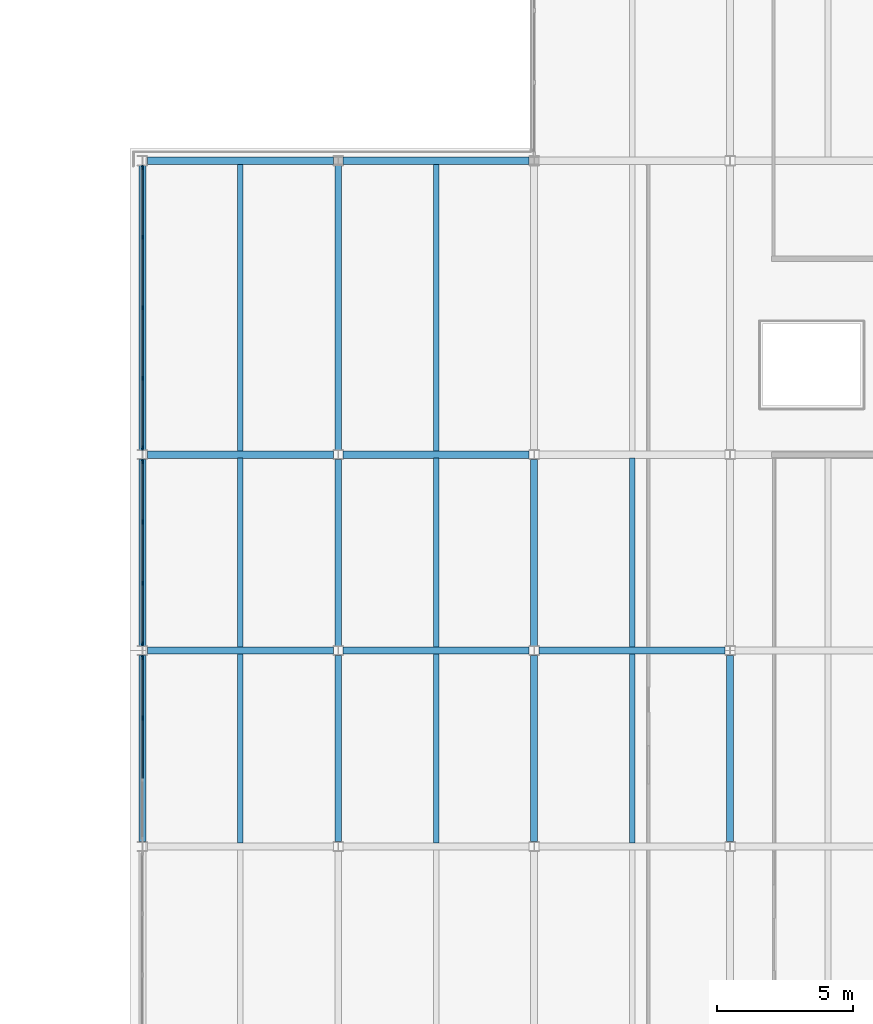
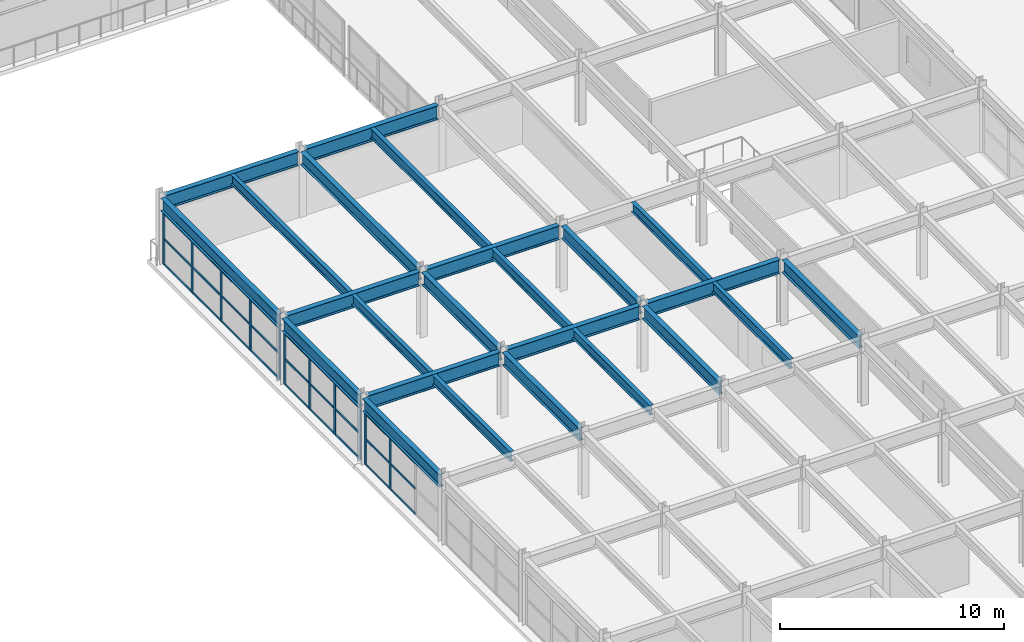
# One storey, part 26 of 80: 38 members, 24 beams, 3 elements without a shape of their own.
"""IFC4 building model written with IfcOpenShell, lengths in metres."""

from ifc_helpers import new_model, si_unit, direction, frame, origin, origin_2d, place, context, subcontext, project, spatial, rectangle, i_section, extrude, material, material_profile, profile_set, type_object, element, aggregate, save


model = new_model("IFC4")

# Units and contexts
model_context = context("Model", 3, precision=1e-05, world=origin(), true_north=direction((0.0, 1.0)))
body_context = subcontext(model_context, "Body", "Model", "MODEL_VIEW")
ifc_project = project(units=[si_unit("LENGTHUNIT", "METRE"), si_unit("AREAUNIT", "SQUARE_METRE"), si_unit("VOLUMEUNIT", "CUBIC_METRE"), si_unit("PLANEANGLEUNIT", "RADIAN"), si_unit("MASSUNIT", "GRAM", prefix="KILO")], contexts=[model_context])

# Site, building, storey
site_placement = place(None, origin())
site = spatial("IfcSite", under=ifc_project, at=site_placement, CompositionType="ELEMENT")
building_placement = place(site_placement, origin())
building = spatial("IfcBuilding", under=site, at=building_placement, Name="Vaelcorin Mobility Hub", CompositionType="ELEMENT")
storey_placement = place(building_placement, frame((0.0, 0.0, 9.300048828125)))
storey = spatial("IfcBuildingStorey", under=building, at=storey_placement, Name="L02", CompositionType="ELEMENT", Elevation=9.300048828125)

# Beams
ifc_material_1 = material(Name="Steel ASTM A992 Grade 50", Category="steel")
ifc_material_profile_1 = material_profile(ifc_material_1, i_section(OverallWidth=0.2099609375, OverallDepth=0.532958984375, WebThickness=0.01025390625, FlangeThickness=0.015625, FilletRadius=0.013916015625, at=origin_2d()), Name="W21X62")
ifc_profile_set_1 = profile_set([ifc_material_profile_1], Name="Steel ASTM A992 Grade 50")
beam_type_1 = type_object("IfcBeamType", Name="BM-W21X62", PredefinedType="JOIST", material=ifc_profile_set_1)
for number, where, z_axis, x_axis, name in (
    (1, (157.199951171875, 34.931884765625, 3.333984375), (0.0, 1.0, 0.0), (-1.0, 0.0, 0.0), "L02 Beam V5-L02-J-01-05-1"),
    (2, (157.199951171875, 42.132080078125, 3.333984375), (0.0, 1.0, 0.0), (-1.0, 0.0, 0.0), "L02 Beam V5-L02-J-01-06-1"),
):
    element("IfcBeam", number, at=place(storey_placement, frame(where, z_axis=z_axis, x_axis=x_axis)), inside=storey, type_object=beam_type_1, Name=name, PredefinedType="JOIST", context=body_context, shape_type="SweptSolid", body=[
        extrude(i_section(OverallWidth=0.2099609375, OverallDepth=0.532958984375, WebThickness=0.01025390625, FlangeThickness=0.015625, FilletRadius=0.013916015625, at=origin_2d()), origin(), (0.0, 0.0, 1.0), 6.93603515625),
    ])
beam_1_placement = place(storey_placement, frame((157.199951171875, 49.33203125, 3.333984375), z_axis=(0.0, 1.0, 0.0), x_axis=(-1.0, 0.0, 0.0)))
element("IfcBeam", 3, at=beam_1_placement, inside=storey, type_object=beam_type_1, Name="L02 Beam V5-L02-J-01-07-1", PredefinedType="JOIST", context=body_context, shape_type="SweptSolid", body=[
    extrude(i_section(OverallWidth=0.2099609375, OverallDepth=0.532958984375, WebThickness=0.01025390625, FlangeThickness=0.015625, FilletRadius=0.013916015625, at=origin_2d()), origin(), (0.0, 0.0, 1.0), 10.535888671875),
])
for number, where, z_axis, x_axis, name in (
    (4, (164.39990234375, 34.931884765625, 3.333984375), (0.0, 1.0, 0.0), (-1.0, 0.0, 0.0), "L02 Beam V5-L02-J-02-05-1"),
    (5, (164.39990234375, 42.132080078125, 3.333984375), (0.0, 1.0, 0.0), (-1.0, 0.0, 0.0), "L02 Beam V5-L02-J-02-06-1"),
):
    element("IfcBeam", number, at=place(storey_placement, frame(where, z_axis=z_axis, x_axis=x_axis)), inside=storey, type_object=beam_type_1, Name=name, PredefinedType="JOIST", context=body_context, shape_type="SweptSolid", body=[
        extrude(i_section(OverallWidth=0.2099609375, OverallDepth=0.532958984375, WebThickness=0.01025390625, FlangeThickness=0.015625, FilletRadius=0.013916015625, at=origin_2d()), origin(), (0.0, 0.0, 1.0), 6.93603515625),
    ])
beam_2_placement = place(storey_placement, frame((164.39990234375, 49.33203125, 3.333984375), z_axis=(0.0, 1.0, 0.0), x_axis=(-1.0, 0.0, 0.0)))
element("IfcBeam", 6, at=beam_2_placement, inside=storey, type_object=beam_type_1, Name="L02 Beam V5-L02-J-02-07-1", PredefinedType="JOIST", context=body_context, shape_type="SweptSolid", body=[
    extrude(i_section(OverallWidth=0.2099609375, OverallDepth=0.532958984375, WebThickness=0.01025390625, FlangeThickness=0.015625, FilletRadius=0.013916015625, at=origin_2d()), origin(), (0.0, 0.0, 1.0), 10.535888671875),
])
for number, where, z_axis, x_axis, name in (
    (7, (171.60009765625, 34.931884765625, 3.333984375), (0.0, 1.0, 0.0), (-1.0, 0.0, 0.0), "L02 Beam V5-L02-J-03-05-1"),
    (8, (171.60009765625, 42.132080078125, 3.333984375), (0.0, 1.0, 0.0), (-1.0, 0.0, 0.0), "L02 Beam V5-L02-J-03-06-1"),
):
    element("IfcBeam", number, at=place(storey_placement, frame(where, z_axis=z_axis, x_axis=x_axis)), inside=storey, type_object=beam_type_1, Name=name, PredefinedType="JOIST", context=body_context, shape_type="SweptSolid", body=[
        extrude(i_section(OverallWidth=0.2099609375, OverallDepth=0.532958984375, WebThickness=0.01025390625, FlangeThickness=0.015625, FilletRadius=0.013916015625, at=origin_2d()), origin(), (0.0, 0.0, 1.0), 6.93603515625),
    ])
ifc_material_profile_2 = material_profile(ifc_material_1, i_section(OverallWidth=0.25390625, OverallDepth=0.68310546875, WebThickness=0.012451171875, FlangeThickness=0.018798828125, FilletRadius=0.01611328125, at=origin_2d()), Name="W27X94")
ifc_profile_set_2 = profile_set([ifc_material_profile_2], Name="Steel ASTM A992 Grade 50")
beam_type_2 = type_object("IfcBeamType", Name="BM-W27X94", PredefinedType="BEAM", material=ifc_profile_set_2)
for number, where, z_axis, x_axis, name in (
    (9, (153.60009765625, 34.97607421875, 3.258056640625), (0.0, 1.0, 0.0), (-1.0, 0.0, 0.0), "L02 Beam V5-L02-GY-01-05"),
    (10, (153.60009765625, 42.176025390625, 3.258056640625), (0.0, 1.0, 0.0), (-1.0, 0.0, 0.0), "L02 Beam V5-L02-GY-01-06"),
):
    element("IfcBeam", number, at=place(storey_placement, frame(where, z_axis=z_axis, x_axis=x_axis)), inside=storey, type_object=beam_type_2, Name=name, PredefinedType="BEAM", context=body_context, shape_type="SweptSolid", body=[
        extrude(i_section(OverallWidth=0.25390625, OverallDepth=0.68310546875, WebThickness=0.012451171875, FlangeThickness=0.018798828125, FilletRadius=0.01611328125, at=origin_2d()), origin(), (0.0, 0.0, 1.0), 6.847900390625),
    ])
beam_3_placement = place(storey_placement, frame((153.60009765625, 49.3759765625, 3.258056640625), z_axis=(0.0, 1.0, 0.0), x_axis=(-1.0, 0.0, 0.0)))
element("IfcBeam", 11, at=beam_3_placement, inside=storey, type_object=beam_type_2, Name="L02 Beam V5-L02-GY-01-07", PredefinedType="BEAM", context=body_context, shape_type="SweptSolid", body=[
    extrude(i_section(OverallWidth=0.25390625, OverallDepth=0.68310546875, WebThickness=0.012451171875, FlangeThickness=0.018798828125, FilletRadius=0.01611328125, at=origin_2d()), origin(), (0.0, 0.0, 1.0), 10.447998046875),
])
for number, where, z_axis, x_axis, name in (
    (12, (160.800048828125, 34.97607421875, 3.258056640625), (0.0, 1.0, 0.0), (-1.0, 0.0, 0.0), "L02 Beam V5-L02-GY-02-05"),
    (13, (160.800048828125, 42.176025390625, 3.258056640625), (0.0, 1.0, 0.0), (-1.0, 0.0, 0.0), "L02 Beam V5-L02-GY-02-06"),
):
    element("IfcBeam", number, at=place(storey_placement, frame(where, z_axis=z_axis, x_axis=x_axis)), inside=storey, type_object=beam_type_2, Name=name, PredefinedType="BEAM", context=body_context, shape_type="SweptSolid", body=[
        extrude(i_section(OverallWidth=0.25390625, OverallDepth=0.68310546875, WebThickness=0.012451171875, FlangeThickness=0.018798828125, FilletRadius=0.01611328125, at=origin_2d()), origin(), (0.0, 0.0, 1.0), 6.847900390625),
    ])
beam_4_placement = place(storey_placement, frame((160.800048828125, 49.3759765625, 3.258056640625), z_axis=(0.0, 1.0, 0.0), x_axis=(-1.0, 0.0, 0.0)))
element("IfcBeam", 14, at=beam_4_placement, inside=storey, type_object=beam_type_2, Name="L02 Beam V5-L02-GY-02-07", PredefinedType="BEAM", context=body_context, shape_type="SweptSolid", body=[
    extrude(i_section(OverallWidth=0.25390625, OverallDepth=0.68310546875, WebThickness=0.012451171875, FlangeThickness=0.018798828125, FilletRadius=0.01611328125, at=origin_2d()), origin(), (0.0, 0.0, 1.0), 10.447998046875),
])
for number, where, z_axis, x_axis, name in (
    (15, (168.0, 34.97607421875, 3.258056640625), (0.0, 1.0, 0.0), (-1.0, 0.0, 0.0), "L02 Beam V5-L02-GY-03-05"),
    (16, (168.0, 42.176025390625, 3.258056640625), (0.0, 1.0, 0.0), (-1.0, 0.0, 0.0), "L02 Beam V5-L02-GY-03-06"),
    (17, (175.199951171875, 34.97607421875, 3.258056640625), (0.0, 1.0, 0.0), (-1.0, 0.0, 0.0), "L02 Beam V5-L02-GY-04-05"),
):
    element("IfcBeam", number, at=place(storey_placement, frame(where, z_axis=z_axis, x_axis=x_axis)), inside=storey, type_object=beam_type_2, Name=name, PredefinedType="BEAM", context=body_context, shape_type="SweptSolid", body=[
        extrude(i_section(OverallWidth=0.25390625, OverallDepth=0.68310546875, WebThickness=0.012451171875, FlangeThickness=0.018798828125, FilletRadius=0.01611328125, at=origin_2d()), origin(), (0.0, 0.0, 1.0), 6.847900390625),
    ])
ifc_material_profile_3 = material_profile(ifc_material_1, i_section(OverallWidth=0.26708984375, OverallDepth=0.757080078125, WebThickness=0.013916015625, FlangeThickness=0.019287109375, FilletRadius=0.01708984375, at=origin_2d()), Name="W30X108")
ifc_profile_set_3 = profile_set([ifc_material_profile_3], Name="Steel ASTM A992 Grade 50")
beam_type_3 = type_object("IfcBeamType", Name="BM-W30X108", PredefinedType="BEAM", material=ifc_profile_set_3)
beam_5_placement = place(storey_placement, frame((153.781982421875, 42.0, 3.221923828125), z_axis=(1.0, 0.0, 0.0), x_axis=(0.0, 1.0, 0.0)))
element("IfcBeam", 18, at=beam_5_placement, inside=storey, type_object=beam_type_3, Name="L02 Beam V5-L02-GX-06-01", PredefinedType="BEAM", context=body_context, shape_type="SweptSolid", body=[
    extrude(i_section(OverallWidth=0.26708984375, OverallDepth=0.757080078125, WebThickness=0.013916015625, FlangeThickness=0.019287109375, FilletRadius=0.01708984375, at=origin_2d()), origin(), (0.0, 0.0, 1.0), 6.8359375),
])
for number, where, z_axis, x_axis, name in (
    (19, (160.98193359375, 42.0, 3.221923828125), (1.0, 0.0, 0.0), (0.0, 1.0, 0.0), "L02 Beam V5-L02-GX-06-02"),
    (20, (168.181884765625, 42.0, 3.221923828125), (1.0, 0.0, 0.0), (0.0, 1.0, 0.0), "L02 Beam V5-L02-GX-06-03"),
):
    element("IfcBeam", number, at=place(storey_placement, frame(where, z_axis=z_axis, x_axis=x_axis)), inside=storey, type_object=beam_type_3, Name=name, PredefinedType="BEAM", context=body_context, shape_type="SweptSolid", body=[
        extrude(i_section(OverallWidth=0.26708984375, OverallDepth=0.757080078125, WebThickness=0.013916015625, FlangeThickness=0.019287109375, FilletRadius=0.01708984375, at=origin_2d()), origin(), (0.0, 0.0, 1.0), 6.836181640625),
    ])
beam_6_placement = place(storey_placement, frame((153.781982421875, 49.199951171875, 3.221923828125), z_axis=(1.0, 0.0, 0.0), x_axis=(0.0, 1.0, 0.0)))
element("IfcBeam", 21, at=beam_6_placement, inside=storey, type_object=beam_type_3, Name="L02 Beam V5-L02-GX-07-01", PredefinedType="BEAM", context=body_context, shape_type="SweptSolid", body=[
    extrude(i_section(OverallWidth=0.26708984375, OverallDepth=0.757080078125, WebThickness=0.013916015625, FlangeThickness=0.019287109375, FilletRadius=0.01708984375, at=origin_2d()), origin(), (0.0, 0.0, 1.0), 6.8359375),
])
beam_7_placement = place(storey_placement, frame((160.98193359375, 49.199951171875, 3.221923828125), z_axis=(1.0, 0.0, 0.0), x_axis=(0.0, 1.0, 0.0)))
element("IfcBeam", 22, at=beam_7_placement, inside=storey, type_object=beam_type_3, Name="L02 Beam V5-L02-GX-07-02", PredefinedType="BEAM", context=body_context, shape_type="SweptSolid", body=[
    extrude(i_section(OverallWidth=0.26708984375, OverallDepth=0.757080078125, WebThickness=0.013916015625, FlangeThickness=0.019287109375, FilletRadius=0.01708984375, at=origin_2d()), origin(), (0.0, 0.0, 1.0), 6.836181640625),
])
beam_8_placement = place(storey_placement, frame((153.781982421875, 60.0, 3.221923828125), z_axis=(1.0, 0.0, 0.0), x_axis=(0.0, 1.0, 0.0)))
element("IfcBeam", 23, at=beam_8_placement, inside=storey, type_object=beam_type_3, Name="L02 Beam V5-L02-GX-08-01", PredefinedType="BEAM", context=body_context, shape_type="SweptSolid", body=[
    extrude(i_section(OverallWidth=0.26708984375, OverallDepth=0.757080078125, WebThickness=0.013916015625, FlangeThickness=0.019287109375, FilletRadius=0.01708984375, at=origin_2d()), origin(), (0.0, 0.0, 1.0), 6.8359375),
])
beam_9_placement = place(storey_placement, frame((160.98193359375, 60.0, 3.221923828125), z_axis=(1.0, 0.0, 0.0), x_axis=(0.0, 1.0, 0.0)))
element("IfcBeam", 24, at=beam_9_placement, inside=storey, type_object=beam_type_3, Name="L02 Beam V5-L02-GX-08-02", PredefinedType="BEAM", context=body_context, shape_type="SweptSolid", body=[
    extrude(i_section(OverallWidth=0.26708984375, OverallDepth=0.757080078125, WebThickness=0.013916015625, FlangeThickness=0.019287109375, FilletRadius=0.01708984375, at=origin_2d()), origin(), (0.0, 0.0, 1.0), 6.836181640625),
])

# Curtain wall, members
ifc_material_2 = material(Name="Anodised aluminium 6063-T6", Category="aluminium")
curtain_wall_type = type_object("IfcCurtainWallType", Name="CW-MOB-A", PredefinedType="NOTDEFINED", material=ifc_material_2)
curtain_wall_1_placement = place(storey_placement, origin())
curtain_wall_1 = element("IfcCurtainWall", 25, at=curtain_wall_1_placement, inside=storey, type_object=curtain_wall_type, Name="L02 Curtain Wall CW-V5-L02-WS-05", PredefinedType="NOTDEFINED")
ifc_material_profile_4 = material_profile(ifc_material_2, rectangle(XDim=0.06005859375, YDim=0.159912109375, at=origin_2d()), Name="ALU-M60X160")
ifc_profile_set_4 = profile_set([ifc_material_profile_4], Name="Anodised aluminium 6063-T6")
member_type_1 = type_object("IfcMemberType", Name="CW-MULL-160", PredefinedType="MULLION", material=ifc_profile_set_4)
member_1_placement = place(storey_placement, frame((153.60009765625, 39.526611328125, 0.0), z_axis=(0.0, 0.0, 1.0), x_axis=(-1.0, 0.0, 0.0)))
member_1 = element("IfcMember", 26, at=member_1_placement, type_object=member_type_1, Name="CW7 mullion 3", PredefinedType="MULLION", context=body_context, shape_type="SweptSolid", body=[
    extrude(rectangle(XDim=0.06005859375, YDim=0.159912109375, at=origin_2d()), origin(), (0.0, 0.0, 1.0), 2.827880859375),
])
member_2_placement = place(storey_placement, frame((153.60009765625, 41.75, 0.0), z_axis=(0.0, 0.0, 1.0), x_axis=(-1.0, 0.0, 0.0)))
member_2 = element("IfcMember", 27, at=member_2_placement, type_object=member_type_1, Name="CW7 mullion 4", PredefinedType="MULLION", context=body_context, shape_type="SweptSolid", body=[
    extrude(rectangle(XDim=0.06005859375, YDim=0.159912109375, at=origin_2d()), origin(), (0.0, 0.0, 1.0), 2.827880859375),
])

curtain_wall_2_placement = place(storey_placement, origin())
curtain_wall_2 = element("IfcCurtainWall", 28, at=curtain_wall_2_placement, inside=storey, type_object=curtain_wall_type, Name="L02 Curtain Wall CW-V5-L02-WS-06", PredefinedType="NOTDEFINED")
member_3_placement = place(storey_placement, frame((153.60009765625, 42.25, 0.0), z_axis=(0.0, 0.0, 1.0), x_axis=(-1.0, 0.0, 0.0)))
member_3 = element("IfcMember", 29, at=member_3_placement, type_object=member_type_1, Name="CW7 mullion 1", PredefinedType="MULLION", context=body_context, shape_type="SweptSolid", body=[
    extrude(rectangle(XDim=0.06005859375, YDim=0.159912109375, at=origin_2d()), origin(), (0.0, 0.0, 1.0), 2.827880859375),
])
member_4_placement = place(storey_placement, frame((153.60009765625, 44.473388671875, 0.0), z_axis=(0.0, 0.0, 1.0), x_axis=(-1.0, 0.0, 0.0)))
member_4 = element("IfcMember", 30, at=member_4_placement, type_object=member_type_1, Name="CW7 mullion 2", PredefinedType="MULLION", context=body_context, shape_type="SweptSolid", body=[
    extrude(rectangle(XDim=0.06005859375, YDim=0.159912109375, at=origin_2d()), origin(), (0.0, 0.0, 1.0), 2.827880859375),
])
member_5_placement = place(storey_placement, frame((153.60009765625, 46.7265625, 0.0), z_axis=(0.0, 0.0, 1.0), x_axis=(-1.0, 0.0, 0.0)))
member_5 = element("IfcMember", 31, at=member_5_placement, type_object=member_type_1, Name="CW7 mullion 3", PredefinedType="MULLION", context=body_context, shape_type="SweptSolid", body=[
    extrude(rectangle(XDim=0.06005859375, YDim=0.159912109375, at=origin_2d()), origin(), (0.0, 0.0, 1.0), 2.827880859375),
])
member_6_placement = place(storey_placement, frame((153.60009765625, 48.949951171875, 0.0), z_axis=(0.0, 0.0, 1.0), x_axis=(-1.0, 0.0, 0.0)))
member_6 = element("IfcMember", 32, at=member_6_placement, type_object=member_type_1, Name="CW7 mullion 4", PredefinedType="MULLION", context=body_context, shape_type="SweptSolid", body=[
    extrude(rectangle(XDim=0.06005859375, YDim=0.159912109375, at=origin_2d()), origin(), (0.0, 0.0, 1.0), 2.827880859375),
])

curtain_wall_3_placement = place(storey_placement, origin())
curtain_wall_3 = element("IfcCurtainWall", 33, at=curtain_wall_3_placement, inside=storey, type_object=curtain_wall_type, Name="L02 Curtain Wall CW-V5-L02-WS-07", PredefinedType="NOTDEFINED")
member_7_placement = place(storey_placement, frame((153.60009765625, 49.449951171875, 0.0), z_axis=(0.0, 0.0, 1.0), x_axis=(-1.0, 0.0, 0.0)))
member_7 = element("IfcMember", 34, at=member_7_placement, type_object=member_type_1, Name="CW7 mullion 1", PredefinedType="MULLION", context=body_context, shape_type="SweptSolid", body=[
    extrude(rectangle(XDim=0.06005859375, YDim=0.159912109375, at=origin_2d()), origin(), (0.0, 0.0, 1.0), 2.827880859375),
])
member_8_placement = place(storey_placement, frame((153.60009765625, 52.010009765625, 0.0), z_axis=(0.0, 0.0, 1.0), x_axis=(-1.0, 0.0, 0.0)))
member_8 = element("IfcMember", 35, at=member_8_placement, type_object=member_type_1, Name="CW7 mullion 2", PredefinedType="MULLION", context=body_context, shape_type="SweptSolid", body=[
    extrude(rectangle(XDim=0.06005859375, YDim=0.159912109375, at=origin_2d()), origin(), (0.0, 0.0, 1.0), 2.827880859375),
])
member_9_placement = place(storey_placement, frame((153.60009765625, 54.60009765625, 0.0), z_axis=(0.0, 0.0, 1.0), x_axis=(-1.0, 0.0, 0.0)))
member_9 = element("IfcMember", 36, at=member_9_placement, type_object=member_type_1, Name="CW7 mullion 3", PredefinedType="MULLION", context=body_context, shape_type="SweptSolid", body=[
    extrude(rectangle(XDim=0.06005859375, YDim=0.159912109375, at=origin_2d()), origin(), (0.0, 0.0, 1.0), 2.827880859375),
])
member_10_placement = place(storey_placement, frame((153.60009765625, 57.18994140625, 0.0), z_axis=(0.0, 0.0, 1.0), x_axis=(-1.0, 0.0, 0.0)))
member_10 = element("IfcMember", 37, at=member_10_placement, type_object=member_type_1, Name="CW7 mullion 4", PredefinedType="MULLION", context=body_context, shape_type="SweptSolid", body=[
    extrude(rectangle(XDim=0.06005859375, YDim=0.159912109375, at=origin_2d()), origin(), (0.0, 0.0, 1.0), 2.827880859375),
])
member_11_placement = place(storey_placement, frame((153.60009765625, 59.75, 0.0), z_axis=(0.0, 0.0, 1.0), x_axis=(-1.0, 0.0, 0.0)))
member_11 = element("IfcMember", 38, at=member_11_placement, type_object=member_type_1, Name="CW7 mullion 5", PredefinedType="MULLION", context=body_context, shape_type="SweptSolid", body=[
    extrude(rectangle(XDim=0.06005859375, YDim=0.159912109375, at=origin_2d()), origin(), (0.0, 0.0, 1.0), 2.827880859375),
])

# Member
ifc_material_profile_5 = material_profile(ifc_material_2, rectangle(XDim=0.06005859375, YDim=0.1201171875, at=origin_2d()), Name="ALU-T60X120")
ifc_profile_set_5 = profile_set([ifc_material_profile_5], Name="Anodised aluminium 6063-T6")
member_type_2 = type_object("IfcMemberType", Name="CW-TRAN-140", PredefinedType="USERDEFINED", material=ifc_profile_set_5)
member_12_placement = place(storey_placement, frame((153.60009765625, 37.30322265625, 0.030029296875), z_axis=(0.0, 1.0, 0.0), x_axis=(-1.0, 0.0, 0.0)))
member_12 = element("IfcMember", 39, at=member_12_placement, type_object=member_type_2, Name="CW7 transom 2.1", ObjectType="TRANSOM", PredefinedType="USERDEFINED", context=body_context, shape_type="SweptSolid", body=[
    extrude(rectangle(XDim=0.06005859375, YDim=0.1201171875, at=origin_2d()), origin(), (0.0, 0.0, 1.0), 2.193359375),
])

member_13_placement = place(storey_placement, frame((153.60009765625, 37.30322265625, 1.4140625), z_axis=(0.0, 1.0, 0.0), x_axis=(-1.0, 0.0, 0.0)))
member_13 = element("IfcMember", 40, at=member_13_placement, type_object=member_type_2, Name="CW7 transom 2.2", ObjectType="TRANSOM", PredefinedType="USERDEFINED", context=body_context, shape_type="SweptSolid", body=[
    extrude(rectangle(XDim=0.06005859375, YDim=0.1201171875, at=origin_2d()), origin(), (0.0, 0.0, 1.0), 2.193359375),
])

member_14_placement = place(storey_placement, frame((153.60009765625, 37.30322265625, 2.7978515625), z_axis=(0.0, 1.0, 0.0), x_axis=(-1.0, 0.0, 0.0)))
member_14 = element("IfcMember", 41, at=member_14_placement, type_object=member_type_2, Name="CW7 transom 2.3", ObjectType="TRANSOM", PredefinedType="USERDEFINED", context=body_context, shape_type="SweptSolid", body=[
    extrude(rectangle(XDim=0.06005859375, YDim=0.1201171875, at=origin_2d()), origin(), (0.0, 0.0, 1.0), 2.193359375),
])

member_15_placement = place(storey_placement, frame((153.60009765625, 39.556640625, 0.030029296875), z_axis=(0.0, 1.0, 0.0), x_axis=(-1.0, 0.0, 0.0)))
member_15 = element("IfcMember", 42, at=member_15_placement, type_object=member_type_2, Name="CW7 transom 3.1", ObjectType="TRANSOM", PredefinedType="USERDEFINED", context=body_context, shape_type="SweptSolid", body=[
    extrude(rectangle(XDim=0.06005859375, YDim=0.1201171875, at=origin_2d()), origin(), (0.0, 0.0, 1.0), 2.163330078125),
])

member_16_placement = place(storey_placement, frame((153.60009765625, 39.556640625, 1.4140625), z_axis=(0.0, 1.0, 0.0), x_axis=(-1.0, 0.0, 0.0)))
member_16 = element("IfcMember", 43, at=member_16_placement, type_object=member_type_2, Name="CW7 transom 3.2", ObjectType="TRANSOM", PredefinedType="USERDEFINED", context=body_context, shape_type="SweptSolid", body=[
    extrude(rectangle(XDim=0.06005859375, YDim=0.1201171875, at=origin_2d()), origin(), (0.0, 0.0, 1.0), 2.163330078125),
])

member_17_placement = place(storey_placement, frame((153.60009765625, 39.556640625, 2.7978515625), z_axis=(0.0, 1.0, 0.0), x_axis=(-1.0, 0.0, 0.0)))
member_17 = element("IfcMember", 44, at=member_17_placement, type_object=member_type_2, Name="CW7 transom 3.3", ObjectType="TRANSOM", PredefinedType="USERDEFINED", context=body_context, shape_type="SweptSolid", body=[
    extrude(rectangle(XDim=0.06005859375, YDim=0.1201171875, at=origin_2d()), origin(), (0.0, 0.0, 1.0), 2.163330078125),
])

aggregate(curtain_wall_1, [member_1, member_2, member_12, member_13, member_14, member_15, member_16, member_17])

member_18_placement = place(storey_placement, frame((153.60009765625, 42.280029296875, 0.030029296875), z_axis=(0.0, 1.0, 0.0), x_axis=(-1.0, 0.0, 0.0)))
member_18 = element("IfcMember", 45, at=member_18_placement, type_object=member_type_2, Name="CW7 transom 1.1", ObjectType="TRANSOM", PredefinedType="USERDEFINED", context=body_context, shape_type="SweptSolid", body=[
    extrude(rectangle(XDim=0.06005859375, YDim=0.1201171875, at=origin_2d()), origin(), (0.0, 0.0, 1.0), 2.163330078125),
])

member_19_placement = place(storey_placement, frame((153.60009765625, 42.280029296875, 1.4140625), z_axis=(0.0, 1.0, 0.0), x_axis=(-1.0, 0.0, 0.0)))
member_19 = element("IfcMember", 46, at=member_19_placement, type_object=member_type_2, Name="CW7 transom 1.2", ObjectType="TRANSOM", PredefinedType="USERDEFINED", context=body_context, shape_type="SweptSolid", body=[
    extrude(rectangle(XDim=0.06005859375, YDim=0.1201171875, at=origin_2d()), origin(), (0.0, 0.0, 1.0), 2.163330078125),
])

member_20_placement = place(storey_placement, frame((153.60009765625, 42.280029296875, 2.7978515625), z_axis=(0.0, 1.0, 0.0), x_axis=(-1.0, 0.0, 0.0)))
member_20 = element("IfcMember", 47, at=member_20_placement, type_object=member_type_2, Name="CW7 transom 1.3", ObjectType="TRANSOM", PredefinedType="USERDEFINED", context=body_context, shape_type="SweptSolid", body=[
    extrude(rectangle(XDim=0.06005859375, YDim=0.1201171875, at=origin_2d()), origin(), (0.0, 0.0, 1.0), 2.163330078125),
])

member_21_placement = place(storey_placement, frame((153.60009765625, 44.50341796875, 0.030029296875), z_axis=(0.0, 1.0, 0.0), x_axis=(-1.0, 0.0, 0.0)))
member_21 = element("IfcMember", 48, at=member_21_placement, type_object=member_type_2, Name="CW7 transom 2.1", ObjectType="TRANSOM", PredefinedType="USERDEFINED", context=body_context, shape_type="SweptSolid", body=[
    extrude(rectangle(XDim=0.06005859375, YDim=0.1201171875, at=origin_2d()), origin(), (0.0, 0.0, 1.0), 2.193359375),
])

member_22_placement = place(storey_placement, frame((153.60009765625, 44.50341796875, 1.4140625), z_axis=(0.0, 1.0, 0.0), x_axis=(-1.0, 0.0, 0.0)))
member_22 = element("IfcMember", 49, at=member_22_placement, type_object=member_type_2, Name="CW7 transom 2.2", ObjectType="TRANSOM", PredefinedType="USERDEFINED", context=body_context, shape_type="SweptSolid", body=[
    extrude(rectangle(XDim=0.06005859375, YDim=0.1201171875, at=origin_2d()), origin(), (0.0, 0.0, 1.0), 2.193359375),
])

member_23_placement = place(storey_placement, frame((153.60009765625, 44.50341796875, 2.7978515625), z_axis=(0.0, 1.0, 0.0), x_axis=(-1.0, 0.0, 0.0)))
member_23 = element("IfcMember", 50, at=member_23_placement, type_object=member_type_2, Name="CW7 transom 2.3", ObjectType="TRANSOM", PredefinedType="USERDEFINED", context=body_context, shape_type="SweptSolid", body=[
    extrude(rectangle(XDim=0.06005859375, YDim=0.1201171875, at=origin_2d()), origin(), (0.0, 0.0, 1.0), 2.193359375),
])

member_24_placement = place(storey_placement, frame((153.60009765625, 46.756591796875, 0.030029296875), z_axis=(0.0, 1.0, 0.0), x_axis=(-1.0, 0.0, 0.0)))
member_24 = element("IfcMember", 51, at=member_24_placement, type_object=member_type_2, Name="CW7 transom 3.1", ObjectType="TRANSOM", PredefinedType="USERDEFINED", context=body_context, shape_type="SweptSolid", body=[
    extrude(rectangle(XDim=0.06005859375, YDim=0.1201171875, at=origin_2d()), origin(), (0.0, 0.0, 1.0), 2.163330078125),
])

member_25_placement = place(storey_placement, frame((153.60009765625, 46.756591796875, 1.4140625), z_axis=(0.0, 1.0, 0.0), x_axis=(-1.0, 0.0, 0.0)))
member_25 = element("IfcMember", 52, at=member_25_placement, type_object=member_type_2, Name="CW7 transom 3.2", ObjectType="TRANSOM", PredefinedType="USERDEFINED", context=body_context, shape_type="SweptSolid", body=[
    extrude(rectangle(XDim=0.06005859375, YDim=0.1201171875, at=origin_2d()), origin(), (0.0, 0.0, 1.0), 2.163330078125),
])

member_26_placement = place(storey_placement, frame((153.60009765625, 46.756591796875, 2.7978515625), z_axis=(0.0, 1.0, 0.0), x_axis=(-1.0, 0.0, 0.0)))
member_26 = element("IfcMember", 53, at=member_26_placement, type_object=member_type_2, Name="CW7 transom 3.3", ObjectType="TRANSOM", PredefinedType="USERDEFINED", context=body_context, shape_type="SweptSolid", body=[
    extrude(rectangle(XDim=0.06005859375, YDim=0.1201171875, at=origin_2d()), origin(), (0.0, 0.0, 1.0), 2.163330078125),
])

aggregate(curtain_wall_2, [member_3, member_4, member_5, member_6, member_18, member_19, member_20, member_21, member_22, member_23, member_24, member_25, member_26])

member_27_placement = place(storey_placement, frame((153.60009765625, 49.47998046875, 0.030029296875), z_axis=(0.0, 1.0, 0.0), x_axis=(-1.0, 0.0, 0.0)))
member_27 = element("IfcMember", 54, at=member_27_placement, type_object=member_type_2, Name="CW7 transom 1.1", ObjectType="TRANSOM", PredefinedType="USERDEFINED", context=body_context, shape_type="SweptSolid", body=[
    extrude(rectangle(XDim=0.06005859375, YDim=0.1201171875, at=origin_2d()), origin(), (0.0, 0.0, 1.0), 2.5),
])

member_28_placement = place(storey_placement, frame((153.60009765625, 49.47998046875, 1.4140625), z_axis=(0.0, 1.0, 0.0), x_axis=(-1.0, 0.0, 0.0)))
member_28 = element("IfcMember", 55, at=member_28_placement, type_object=member_type_2, Name="CW7 transom 1.2", ObjectType="TRANSOM", PredefinedType="USERDEFINED", context=body_context, shape_type="SweptSolid", body=[
    extrude(rectangle(XDim=0.06005859375, YDim=0.1201171875, at=origin_2d()), origin(), (0.0, 0.0, 1.0), 2.5),
])

member_29_placement = place(storey_placement, frame((153.60009765625, 49.47998046875, 2.7978515625), z_axis=(0.0, 1.0, 0.0), x_axis=(-1.0, 0.0, 0.0)))
member_29 = element("IfcMember", 56, at=member_29_placement, type_object=member_type_2, Name="CW7 transom 1.3", ObjectType="TRANSOM", PredefinedType="USERDEFINED", context=body_context, shape_type="SweptSolid", body=[
    extrude(rectangle(XDim=0.06005859375, YDim=0.1201171875, at=origin_2d()), origin(), (0.0, 0.0, 1.0), 2.5),
])

member_30_placement = place(storey_placement, frame((153.60009765625, 52.0400390625, 0.030029296875), z_axis=(0.0, 1.0, 0.0), x_axis=(-1.0, 0.0, 0.0)))
member_30 = element("IfcMember", 57, at=member_30_placement, type_object=member_type_2, Name="CW7 transom 2.1", ObjectType="TRANSOM", PredefinedType="USERDEFINED", context=body_context, shape_type="SweptSolid", body=[
    extrude(rectangle(XDim=0.06005859375, YDim=0.1201171875, at=origin_2d()), origin(), (0.0, 0.0, 1.0), 2.530029296875),
])

member_31_placement = place(storey_placement, frame((153.60009765625, 52.0400390625, 1.4140625), z_axis=(0.0, 1.0, 0.0), x_axis=(-1.0, 0.0, 0.0)))
member_31 = element("IfcMember", 58, at=member_31_placement, type_object=member_type_2, Name="CW7 transom 2.2", ObjectType="TRANSOM", PredefinedType="USERDEFINED", context=body_context, shape_type="SweptSolid", body=[
    extrude(rectangle(XDim=0.06005859375, YDim=0.1201171875, at=origin_2d()), origin(), (0.0, 0.0, 1.0), 2.530029296875),
])

member_32_placement = place(storey_placement, frame((153.60009765625, 52.0400390625, 2.7978515625), z_axis=(0.0, 1.0, 0.0), x_axis=(-1.0, 0.0, 0.0)))
member_32 = element("IfcMember", 59, at=member_32_placement, type_object=member_type_2, Name="CW7 transom 2.3", ObjectType="TRANSOM", PredefinedType="USERDEFINED", context=body_context, shape_type="SweptSolid", body=[
    extrude(rectangle(XDim=0.06005859375, YDim=0.1201171875, at=origin_2d()), origin(), (0.0, 0.0, 1.0), 2.530029296875),
])

member_33_placement = place(storey_placement, frame((153.60009765625, 54.6298828125, 0.030029296875), z_axis=(0.0, 1.0, 0.0), x_axis=(-1.0, 0.0, 0.0)))
member_33 = element("IfcMember", 60, at=member_33_placement, type_object=member_type_2, Name="CW7 transom 3.1", ObjectType="TRANSOM", PredefinedType="USERDEFINED", context=body_context, shape_type="SweptSolid", body=[
    extrude(rectangle(XDim=0.06005859375, YDim=0.1201171875, at=origin_2d()), origin(), (0.0, 0.0, 1.0), 2.530029296875),
])

member_34_placement = place(storey_placement, frame((153.60009765625, 54.6298828125, 1.4140625), z_axis=(0.0, 1.0, 0.0), x_axis=(-1.0, 0.0, 0.0)))
member_34 = element("IfcMember", 61, at=member_34_placement, type_object=member_type_2, Name="CW7 transom 3.2", ObjectType="TRANSOM", PredefinedType="USERDEFINED", context=body_context, shape_type="SweptSolid", body=[
    extrude(rectangle(XDim=0.06005859375, YDim=0.1201171875, at=origin_2d()), origin(), (0.0, 0.0, 1.0), 2.530029296875),
])

member_35_placement = place(storey_placement, frame((153.60009765625, 54.6298828125, 2.7978515625), z_axis=(0.0, 1.0, 0.0), x_axis=(-1.0, 0.0, 0.0)))
member_35 = element("IfcMember", 62, at=member_35_placement, type_object=member_type_2, Name="CW7 transom 3.3", ObjectType="TRANSOM", PredefinedType="USERDEFINED", context=body_context, shape_type="SweptSolid", body=[
    extrude(rectangle(XDim=0.06005859375, YDim=0.1201171875, at=origin_2d()), origin(), (0.0, 0.0, 1.0), 2.530029296875),
])

member_36_placement = place(storey_placement, frame((153.60009765625, 57.219970703125, 0.030029296875), z_axis=(0.0, 1.0, 0.0), x_axis=(-1.0, 0.0, 0.0)))
member_36 = element("IfcMember", 63, at=member_36_placement, type_object=member_type_2, Name="CW7 transom 4.1", ObjectType="TRANSOM", PredefinedType="USERDEFINED", context=body_context, shape_type="SweptSolid", body=[
    extrude(rectangle(XDim=0.06005859375, YDim=0.1201171875, at=origin_2d()), origin(), (0.0, 0.0, 1.0), 2.5),
])

member_37_placement = place(storey_placement, frame((153.60009765625, 57.219970703125, 1.4140625), z_axis=(0.0, 1.0, 0.0), x_axis=(-1.0, 0.0, 0.0)))
member_37 = element("IfcMember", 64, at=member_37_placement, type_object=member_type_2, Name="CW7 transom 4.2", ObjectType="TRANSOM", PredefinedType="USERDEFINED", context=body_context, shape_type="SweptSolid", body=[
    extrude(rectangle(XDim=0.06005859375, YDim=0.1201171875, at=origin_2d()), origin(), (0.0, 0.0, 1.0), 2.5),
])

member_38_placement = place(storey_placement, frame((153.60009765625, 57.219970703125, 2.7978515625), z_axis=(0.0, 1.0, 0.0), x_axis=(-1.0, 0.0, 0.0)))
member_38 = element("IfcMember", 65, at=member_38_placement, type_object=member_type_2, Name="CW7 transom 4.3", ObjectType="TRANSOM", PredefinedType="USERDEFINED", context=body_context, shape_type="SweptSolid", body=[
    extrude(rectangle(XDim=0.06005859375, YDim=0.1201171875, at=origin_2d()), origin(), (0.0, 0.0, 1.0), 2.5),
])

aggregate(curtain_wall_3, [member_7, member_8, member_9, member_10, member_11, member_27, member_28, member_29, member_30, member_31, member_32, member_33, member_34, member_35, member_36, member_37, member_38])

save(model, "model.ifc")
